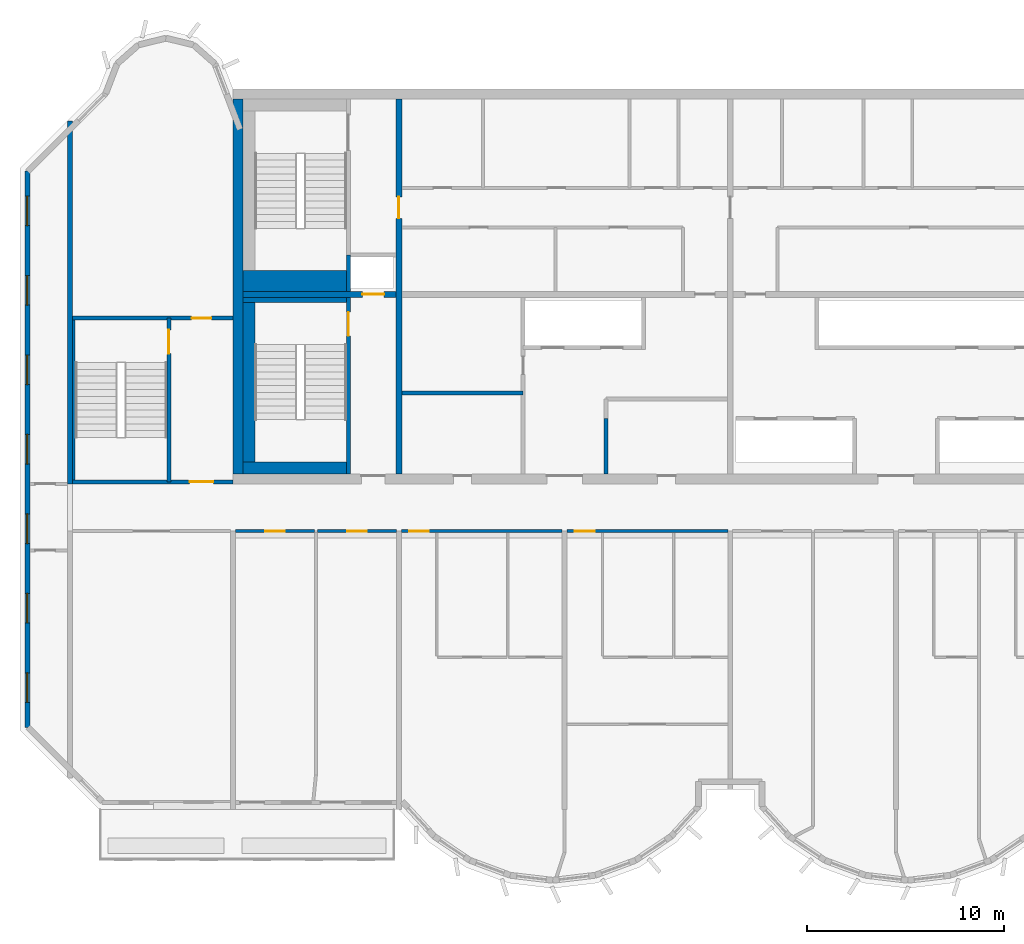
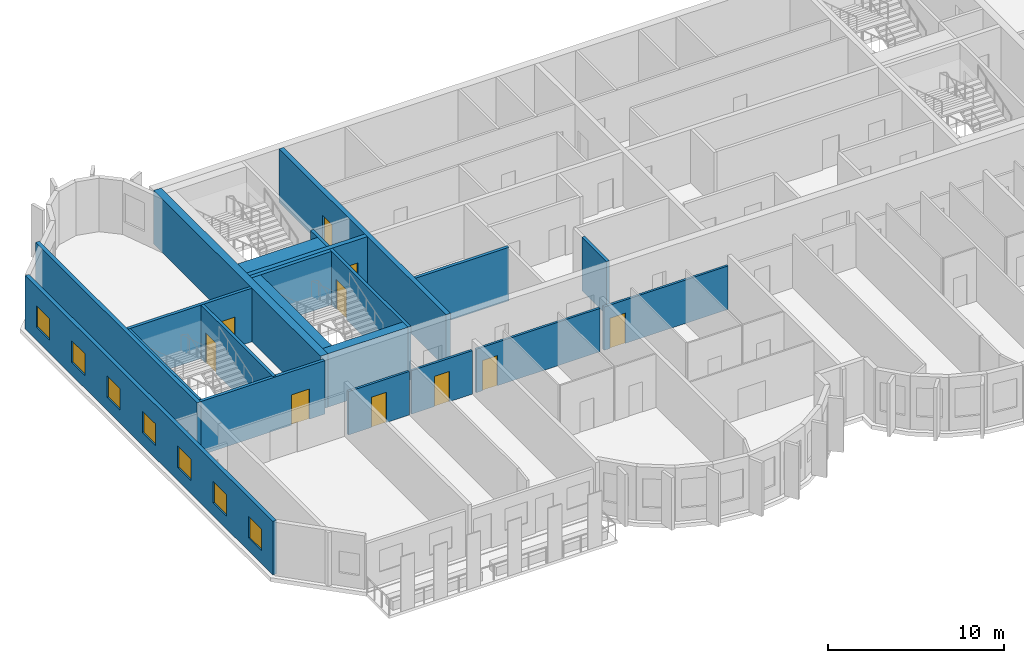
# One storey, part 3 of 12: 21 walls, 10 doors, 7 windows, 17 openings.
"""IFC4 building model written with IfcOpenShell, lengths in metres."""

import ifcopenshell
import ifcopenshell.guid

model = None  # the IFC model being written
_history = None  # IfcOwnerHistory: only IFC2X3 demands one
_inside = {}  # id of a spatial element -> (the spatial element, [elements in it])
_under = {}  # id of a project, library or spatial element -> (it, [spatial elements below it])
_declared = {}  # id of a project -> (the project, [libraries it declares])
_typed = {}  # id of a type object -> (the type object, [elements of that type])
_made_of = {}  # id of a material, layer set ... -> (it, [elements and type objects made of it])


def new_model(schema):
    """Start an empty IFC model of exactly this schema.

    Asked for "IFC4X3", IfcOpenShell would pick the latest addendum, in which some entities
    have other attributes; the version numbers below select the first issue.
    IFC2X3 requires an IfcOwnerHistory on every rooted entity: one is made here for all.
    """
    global model, _history
    if schema == "IFC4X3":
        model = ifcopenshell.file(schema_version=(4, 3, 0, 0))
    else:
        model = ifcopenshell.file(schema=schema)
    _inside.clear()
    _under.clear()
    _declared.clear()
    _typed.clear()
    _made_of.clear()
    _history = None
    if model.schema == "IFC2X3":
        org = make("IfcOrganization", Name="unknown")
        user = make(
            "IfcPersonAndOrganization",
            ThePerson=make("IfcPerson", FamilyName="unknown"),
            TheOrganization=org,
        )
        app = make(
            "IfcApplication",
            ApplicationDeveloper=org,
            Version="unknown",
            ApplicationFullName="unknown",
            ApplicationIdentifier="unknown",
        )
        _history = make(
            "IfcOwnerHistory",
            OwningUser=user,
            OwningApplication=app,
            ChangeAction="ADDED",
            CreationDate=0,
        )
    return model


def make(cls, **values):
    """One entity of the class cls with the attributes given. An attribute that is None is left unset."""
    return model.create_entity(
        cls, **{name: value for name, value in values.items() if value is not None}
    )


def rooted(cls, **values):
    """An entity with a GlobalId (a new one), such as an element, a storey or a relation."""
    return make(cls, GlobalId=ifcopenshell.guid.new(), OwnerHistory=_history, **values)


def si_unit(unit_type, name, prefix=None):
    """IfcSIUnit, for example si_unit("LENGTHUNIT", "METRE", prefix="MILLI")."""
    return make("IfcSIUnit", UnitType=unit_type, Prefix=prefix, Name=name)


def assignment(units):
    """IfcUnitAssignment: the units of a project."""
    return None if units is None else make("IfcUnitAssignment", Units=units)


def point(xyz):
    """IfcCartesianPoint."""
    return None if xyz is None else make("IfcCartesianPoint", Coordinates=xyz)


def direction(xyz):
    """IfcDirection."""
    return None if xyz is None else make("IfcDirection", DirectionRatios=xyz)


def frame(location, z_axis=None, x_axis=None):
    """IfcAxis2Placement3D, a coordinate frame: its origin and axes. An axis left out is left unset."""
    return make(
        "IfcAxis2Placement3D",
        Location=point(location),
        Axis=direction(z_axis),
        RefDirection=direction(x_axis),
    )


def frame_2d(location, x_axis=None):
    """IfcAxis2Placement2D, a coordinate frame in the plane: its origin and x axis."""
    return make(
        "IfcAxis2Placement2D", Location=point(location), RefDirection=direction(x_axis)
    )


def origin():
    """The frame at (0, 0, 0) with its axes left unset."""
    return frame((0.0, 0.0, 0.0))


def place(relative_to, where):
    """IfcLocalPlacement: puts the frame where relative to a parent placement (None: the world)."""
    return make(
        "IfcLocalPlacement", PlacementRelTo=relative_to, RelativePlacement=where
    )


def context(
    kind, dimensions, precision=None, world=None, true_north=None, identifier=None
):
    """IfcGeometricRepresentationContext, for example the 3D "Model" context."""
    return make(
        "IfcGeometricRepresentationContext",
        ContextIdentifier=identifier,
        ContextType=kind,
        CoordinateSpaceDimension=dimensions,
        Precision=precision,
        WorldCoordinateSystem=world,
        TrueNorth=true_north,
    )


def subcontext(parent, identifier, kind, view, scale=None):
    """IfcGeometricRepresentationSubContext, for example "Body" below "Model"."""
    return make(
        "IfcGeometricRepresentationSubContext",
        ContextIdentifier=identifier,
        ContextType=kind,
        ParentContext=parent,
        TargetScale=scale,
        TargetView=view,
    )


def project(units=None, contexts=None):
    """IfcProject with its units and contexts."""
    return rooted(
        "IfcProject",
        Name="project",
        RepresentationContexts=contexts,
        UnitsInContext=assignment(units),
    )


def spatial(cls, under=None, at=None, **own):
    """A site, building, storey or space (cls), placed at a placement, below another one or the project."""
    s = rooted(cls, ObjectPlacement=at, **own)
    if under is not None:
        _under.setdefault(under.id(), (under, []))[1].append(s)
    return s


def profile(cls, at=None, kind="AREA", **sizes):
    """A parametric profile (cls). Its sizes go by their IFC names, for example OverallWidth=200.0."""
    return make(cls, ProfileType=kind, Position=at, **sizes)


def rectangle(**sizes):
    """IfcRectangleProfileDef."""
    return profile("IfcRectangleProfileDef", **sizes)


def extrude(swept, where, along, depth):
    """IfcExtrudedAreaSolid: the profile swept, set in the frame where, extruded along a direction by depth."""
    return make(
        "IfcExtrudedAreaSolid",
        SweptArea=swept,
        Position=where,
        ExtrudedDirection=direction(along),
        Depth=depth,
    )


def shape(context_of_items, identifier, shape_type, items):
    """IfcShapeRepresentation: the items that make up one representation, for example the "Body"."""
    return make(
        "IfcShapeRepresentation",
        ContextOfItems=context_of_items,
        RepresentationIdentifier=identifier,
        RepresentationType=shape_type,
        Items=items,
    )


def source(mapping_origin, context_of_items, identifier, shape_type, items):
    """IfcRepresentationMap: a shape defined once, which mapped items show again and again."""
    return make(
        "IfcRepresentationMap",
        MappingOrigin=mapping_origin,
        MappedRepresentation=shape(context_of_items, identifier, shape_type, items),
    )


def transform(
    local_origin,
    x_axis=None,
    y_axis=None,
    z_axis=None,
    scale=None,
    scale2=None,
    scale3=None,
    uniform=True,
):
    """IfcCartesianTransformationOperator3D, or its non-uniform kind. x_axis, y_axis, z_axis: its Axis1, 2, 3."""
    if uniform:
        return make(
            "IfcCartesianTransformationOperator3D",
            Axis1=direction(x_axis),
            Axis2=direction(y_axis),
            LocalOrigin=point(local_origin),
            Scale=scale,
            Axis3=direction(z_axis),
        )
    return make(
        "IfcCartesianTransformationOperator3DnonUniform",
        Axis1=direction(x_axis),
        Axis2=direction(y_axis),
        LocalOrigin=point(local_origin),
        Scale=scale,
        Axis3=direction(z_axis),
        Scale2=scale2,
        Scale3=scale3,
    )


def mapped(mapping_source, mapping_target):
    """IfcMappedItem: shows the shape of a source again, moved by a transform."""
    return make(
        "IfcMappedItem", MappingSource=mapping_source, MappingTarget=mapping_target
    )


def material(Name=None, Category=None):
    """IfcMaterial."""
    return make("IfcMaterial", Name=Name, Category=Category)


def layer(
    of_material, thickness, ventilated=None, Name=None, Category=None, Priority=None
):
    """IfcMaterialLayer: one layer of a wall or slab, of a material (None: an air gap)."""
    return make(
        "IfcMaterialLayer",
        Material=of_material,
        LayerThickness=thickness,
        IsVentilated=ventilated,
        Name=Name,
        Category=Category,
        Priority=Priority,
    )


def layer_set(layers, Name=None):
    """IfcMaterialLayerSet."""
    return make("IfcMaterialLayerSet", MaterialLayers=layers, LayerSetName=Name)


def made_of(thing, what):
    """Note that an element or type object is made of a material, layer set ...; save() writes the relation."""
    if what is not None:
        _made_of.setdefault(what.id(), (what, []))[1].append(thing)
    return thing


def type_object(cls, material=None, **own):
    """A type object (cls), such as IfcWallType, which elements share."""
    return made_of(rooted(cls, **own), material)


def element(
    cls,
    number,
    at=None,
    inside=None,
    cuts=None,
    type_object=None,
    material=None,
    context=None,
    identifier="Body",
    shape_type=None,
    held_by="IfcProductDefinitionShape",
    body=None,
    shapes=None,
    **own,
):
    """One element of the class cls, such as IfcWall. Its Tag is "e" and its number.

    at: its placement. inside: the storey or other place that contains it. cuts: it is an
    opening in that element (IfcRelVoidsElement). A single representation is given by context,
    identifier, shape_type and body (its items); several are given by shapes. held_by: the class
    of the entity that holds the representations. save() writes the other relations.
    """
    e = rooted(cls, Tag="e%d" % number, ObjectPlacement=at, **own)
    if body is not None:
        shapes = [shape(context, identifier, shape_type, body)]
    if shapes is not None:
        e.Representation = make(held_by, Representations=shapes)
    if inside is not None:
        _inside.setdefault(inside.id(), (inside, []))[1].append(e)
    if cuts is not None:
        rooted(
            "IfcRelVoidsElement", RelatingBuildingElement=cuts, RelatedOpeningElement=e
        )
    if type_object is not None:
        _typed.setdefault(type_object.id(), (type_object, []))[1].append(e)
    return made_of(e, material)


def fill(opening, filler):
    """IfcRelFillsElement: the door or window that sits in an opening."""
    return rooted(
        "IfcRelFillsElement",
        RelatingOpeningElement=opening,
        RelatedBuildingElement=filler,
    )


def aggregate(whole, parts):
    """IfcRelAggregates: a whole, such as a stair, and the parts it consists of."""
    return rooted("IfcRelAggregates", RelatingObject=whole, RelatedObjects=parts)


def save(model, path):
    """Write the relations noted so far, then the file.

    IfcRelAggregates (storeys below a building ...), IfcRelContainedInSpatialStructure (elements
    in a storey), IfcRelDefinesByType, IfcRelAssociatesMaterial and IfcRelDeclares: one each for
    every whole, place, type object, material and project.
    """
    for whole, parts in _under.values():
        aggregate(whole, parts)
    for where, things in _inside.values():
        rooted(
            "IfcRelContainedInSpatialStructure",
            RelatedElements=things,
            RelatingStructure=where,
        )
    for kind, things in _typed.values():
        rooted("IfcRelDefinesByType", RelatedObjects=things, RelatingType=kind)
    for what, things in _made_of.values():
        rooted("IfcRelAssociatesMaterial", RelatedObjects=things, RelatingMaterial=what)
    for by, libraries in _declared.values():
        rooted("IfcRelDeclares", RelatingContext=by, RelatedDefinitions=libraries)
    model.write(path)


model = new_model("IFC4")

# Units and contexts
model_context = context("Model", 3, precision=1e-05, world=origin(), true_north=direction((0.0, 1.0)))
body_context = subcontext(model_context, "Body", "Model", "MODEL_VIEW")
ifc_project = project(units=[si_unit("LENGTHUNIT", "METRE"), si_unit("AREAUNIT", "SQUARE_METRE"), si_unit("VOLUMEUNIT", "CUBIC_METRE"), si_unit("PLANEANGLEUNIT", "RADIAN"), si_unit("MASSUNIT", "GRAM", prefix="KILO")], contexts=[model_context])

# Site, building, storey
site_placement = place(None, origin())
site = spatial("IfcSite", under=ifc_project, at=site_placement, CompositionType="ELEMENT")
building_placement = place(site_placement, origin())
building = spatial("IfcBuilding", under=site, at=building_placement, Name="Vanashikhar Sky Hotel", CompositionType="ELEMENT")
storey_placement = place(building_placement, frame((0.0, 0.0, 309.699951171875)))
storey = spatial("IfcBuildingStorey", under=building, at=storey_placement, Name="L74", CompositionType="ELEMENT", Elevation=309.699951171875)

# Wall
ifc_material_1 = material(Name="Concrete M50", Category="concrete")
ifc_layer_1 = layer(ifc_material_1, 0.5)
ifc_layer_set_1 = layer_set([ifc_layer_1], Name="RC core shell wall 500 Concrete M50")
wall_type_1 = type_object("IfcWallType", Name="RC core shell wall 500 Concrete M50", PredefinedType="SHEAR", material=ifc_layer_set_1)
shared_shape_1 = source(origin(), body_context, "Body", "SweptSolid", [
    extrude(rectangle(XDim=19.0, YDim=0.5, at=frame_2d((9.5, 0.0))), origin(), (0.0, 0.0, 1.0), 3.719970703125),
])
wall_1_placement = place(storey_placement, frame((25.449951171875, 22.5, 0.0), z_axis=(0.0, 0.0, 1.0), x_axis=(0.0, 1.0, 0.0)))
element("IfcWall", 1, at=wall_1_placement, inside=storey, type_object=wall_type_1, Name="KW-L74-KW", PredefinedType="SHEAR", context=body_context, shape_type="MappedRepresentation", body=[
    mapped(shared_shape_1, transform((0.0, 0.0, 0.0), scale=1.0)),
])

# Wall, opening, door
ifc_layer_2 = layer(ifc_material_1, 0.300048828125)
ifc_layer_set_2 = layer_set([ifc_layer_2], Name="RC core inner wall 300 Concrete M50")
wall_type_2 = type_object("IfcWallType", Name="RC core inner wall 300 Concrete M50", PredefinedType="SHEAR", material=ifc_layer_set_2)
shared_shape_2 = source(origin(), body_context, "Body", "SweptSolid", [
    extrude(rectangle(XDim=19.0, YDim=0.300048828125, at=frame_2d((9.5, 0.0))), origin(), (0.0, 0.0, 1.0), 3.719970703125),
])
wall_2_placement = place(storey_placement, frame((33.60009765625, 22.5, 0.0), z_axis=(0.0, 0.0, 1.0), x_axis=(0.0, 1.0, 0.0)))
wall_2 = element("IfcWall", 2, at=wall_2_placement, inside=storey, type_object=wall_type_2, Name="KW-L74-KX1", PredefinedType="SHEAR", context=body_context, shape_type="MappedRepresentation", body=[
    mapped(shared_shape_2, transform((0.0, 0.0, 0.0), scale=1.0)),
])
shared_shape_3 = source(origin(), body_context, "Body", "SweptSolid", [
    extrude(rectangle(XDim=1.10009765625, YDim=2.10009765625, at=frame_2d((0.550048828125, 1.050048828125))), frame((0.0, 0.16015625, 0.0), z_axis=(0.0, -1.0, 0.0), x_axis=(1.0, 0.0, 0.0)), (0.0, 0.0, 1.0), 0.320068359375),
])
opening_1_placement = place(wall_2_placement, frame((12.949951171875, 0.0, 0.0)))
opening_1 = element("IfcOpeningElement", 3, at=opening_1_placement, cuts=wall_2, Name="Opening DC-4-C", PredefinedType="OPENING", context=body_context, shape_type="MappedRepresentation", body=[
    mapped(shared_shape_3, transform((0.0, 0.0, 0.0), scale=1.0)),
])
ifc_material_2 = material(Name="Steel", Category="steel")
door_type_1 = type_object("IfcDoorType", Name="Service door 1100 FD60", OperationType="NOTDEFINED", PredefinedType="DOOR", material=ifc_material_2)
shared_shape_4 = source(origin(), body_context, "Body", "SweptSolid", [
    extrude(rectangle(XDim=1.10009765625, YDim=2.10009765625, at=frame_2d((0.550048828125, 1.050048828125))), frame((0.0, 0.02490234375, 0.0), z_axis=(0.0, -1.0, 0.0), x_axis=(1.0, 0.0, 0.0)), (0.0, 0.0, 1.0), 0.050048828125),
])
door_1_placement = place(opening_1_placement, origin())
door_1 = element("IfcDoor", 4, at=door_1_placement, inside=storey, type_object=door_type_1, Name="Service door 1100 FD60", OperationType="SINGLE_SWING_RIGHT", OverallHeight=2.10009765625, OverallWidth=1.10009765625, PredefinedType="DOOR", context=body_context, shape_type="MappedRepresentation", body=[
    mapped(shared_shape_4, transform((0.0, 0.0, 0.0), scale=1.0)),
])
fill(opening_1, door_1)

shared_shape_5 = source(origin(), body_context, "Body", "SweptSolid", [
    extrude(rectangle(XDim=7.75, YDim=0.300048828125, at=frame_2d((3.875, 0.0))), origin(), (0.0, 0.0, 1.0), 3.719970703125),
])
wall_3_placement = place(storey_placement, frame((25.699951171875, 31.60009765625, 0.0), z_axis=(0.0, 0.0, 1.0), x_axis=(1.0, 0.0, 0.0)))
wall_3 = element("IfcWall", 5, at=wall_3_placement, inside=storey, type_object=wall_type_2, Name="KW-L74-KY1", PredefinedType="SHEAR", context=body_context, shape_type="MappedRepresentation", body=[
    mapped(shared_shape_5, transform((0.0, 0.0, 0.0), scale=1.0)),
])
opening_2_placement = place(wall_3_placement, frame((6.050048828125, 0.0, 0.0)))
opening_2 = element("IfcOpeningElement", 6, at=opening_2_placement, cuts=wall_3, Name="Opening LD", PredefinedType="OPENING", context=body_context, shape_type="MappedRepresentation", body=[
    mapped(shared_shape_3, transform((0.0, 0.0, 0.0), scale=1.0)),
])
ifc_material_3 = material(Name="Stainless steel", Category="steel")
door_type_2 = type_object("IfcDoorType", Name="Lift landing door 1100", OperationType="NOTDEFINED", PredefinedType="DOOR", material=ifc_material_3)
door_2_placement = place(opening_2_placement, origin())
door_2 = element("IfcDoor", 7, at=door_2_placement, inside=storey, type_object=door_type_2, Name="Lift landing door 1100", OperationType="SLIDING_TO_LEFT", OverallHeight=2.10009765625, OverallWidth=1.10009765625, PredefinedType="DOOR", context=body_context, shape_type="MappedRepresentation", body=[
    mapped(shared_shape_4, transform((0.0, 0.0, 0.0), scale=1.0)),
])
fill(opening_2, door_2)

# Wall
ifc_layer_3 = layer(ifc_material_1, 0.25)
ifc_layer_set_3 = layer_set([ifc_layer_3], Name="RC shear wall 250 Concrete M50")
wall_type_3 = type_object("IfcWallType", Name="RC shear wall 250 Concrete M50", PredefinedType="SHEAR", material=ifc_layer_set_3)
shared_shape_6 = source(origin(), body_context, "Body", "SweptSolid", [
    extrude(rectangle(XDim=18.39990234375, YDim=0.25, at=frame_2d((9.199951171875, 0.0))), origin(), (0.0, 0.0, 1.0), 3.719970703125),
])
wall_4_placement = place(storey_placement, frame((16.925048828125, 22.0, 0.0), z_axis=(0.0, 0.0, 1.0), x_axis=(0.0, 1.0, 0.0)))
element("IfcWall", 8, at=wall_4_placement, inside=storey, type_object=wall_type_3, Name="CW-L74-XW03-2", PredefinedType="SHEAR", context=body_context, shape_type="MappedRepresentation", body=[
    mapped(shared_shape_6, transform((0.0, 0.0, 0.0), scale=1.0)),
])

# Wall, openings, windows
ifc_layer_4 = layer(ifc_material_1, 0.25)
ifc_layer_set_4 = layer_set([ifc_layer_4], Name="Rear and end board-marked wall 250")
wall_type_4 = type_object("IfcWallType", Name="Rear and end board-marked wall 250", PredefinedType="SOLIDWALL", material=ifc_layer_set_4)
shared_shape_7 = source(origin(), body_context, "Body", "SweptSolid", [
    extrude(rectangle(XDim=28.189453125, YDim=0.25, at=frame_2d((14.0947265625, 0.0))), origin(), (0.0, 0.0, 1.0), 3.719970703125),
])
wall_5_placement = place(storey_placement, frame((14.77490234375, 37.8447265625, 0.0), z_axis=(0.0, 0.0, 1.0), x_axis=(0.0, -1.0, 0.0)))
wall_5 = element("IfcWall", 9, at=wall_5_placement, inside=storey, type_object=wall_type_4, Name="End board-marked wall", PredefinedType="SOLIDWALL", context=body_context, shape_type="MappedRepresentation", body=[
    mapped(shared_shape_7, transform((0.0, 0.0, 0.0), scale=1.0)),
])
shared_shape_8 = source(origin(), body_context, "Body", "SweptSolid", [
    extrude(rectangle(XDim=1.5, YDim=1.5, at=frame_2d((0.75, 0.75))), frame((0.0, 0.135009765625, 0.0), z_axis=(0.0, -1.0, 0.0), x_axis=(1.0, 0.0, 0.0)), (0.0, 0.0, 1.0), 0.27001953125),
])
opening_3_placement = place(wall_5_placement, frame((1.263427734375, 0.0, 0.89990234375)))
opening_3 = element("IfcOpeningElement", 10, at=opening_3_placement, cuts=wall_5, Name="Opening WN-1", PredefinedType="OPENING", context=body_context, shape_type="MappedRepresentation", body=[
    mapped(shared_shape_8, transform((0.0, 0.0, 0.0), scale=1.0)),
])
opening_4_placement = place(wall_5_placement, frame((5.29052734375, 0.0, 0.89990234375)))
opening_4 = element("IfcOpeningElement", 11, at=opening_4_placement, cuts=wall_5, Name="Opening WN-1", PredefinedType="OPENING", context=body_context, shape_type="MappedRepresentation", body=[
    mapped(shared_shape_8, transform((0.0, 0.0, 0.0), scale=1.0)),
])
opening_5_placement = place(wall_5_placement, frame((9.317626953125, 0.0, 0.89990234375)))
opening_5 = element("IfcOpeningElement", 12, at=opening_5_placement, cuts=wall_5, Name="Opening WN-1", PredefinedType="OPENING", context=body_context, shape_type="MappedRepresentation", body=[
    mapped(shared_shape_8, transform((0.0, 0.0, 0.0), scale=1.0)),
])
opening_6_placement = place(wall_5_placement, frame((13.3447265625, 0.0, 0.89990234375)))
opening_6 = element("IfcOpeningElement", 13, at=opening_6_placement, cuts=wall_5, Name="Opening WN-1", PredefinedType="OPENING", context=body_context, shape_type="MappedRepresentation", body=[
    mapped(shared_shape_8, transform((0.0, 0.0, 0.0), scale=1.0)),
])
opening_7_placement = place(wall_5_placement, frame((17.371826171875, 0.0, 0.89990234375)))
opening_7 = element("IfcOpeningElement", 14, at=opening_7_placement, cuts=wall_5, Name="Opening WN-1", PredefinedType="OPENING", context=body_context, shape_type="MappedRepresentation", body=[
    mapped(shared_shape_8, transform((0.0, 0.0, 0.0), scale=1.0)),
])
opening_8_placement = place(wall_5_placement, frame((21.398681640625, 0.0, 0.89990234375)))
opening_8 = element("IfcOpeningElement", 15, at=opening_8_placement, cuts=wall_5, Name="Opening WN-1", PredefinedType="OPENING", context=body_context, shape_type="MappedRepresentation", body=[
    mapped(shared_shape_8, transform((0.0, 0.0, 0.0), scale=1.0)),
])
opening_9_placement = place(wall_5_placement, frame((25.42578125, 0.0, 0.89990234375)))
opening_9 = element("IfcOpeningElement", 16, at=opening_9_placement, cuts=wall_5, Name="Opening WN-1", PredefinedType="OPENING", context=body_context, shape_type="MappedRepresentation", body=[
    mapped(shared_shape_8, transform((0.0, 0.0, 0.0), scale=1.0)),
])
ifc_material_4 = material(Name="Glass", Category="glass")
window_type = type_object("IfcWindowType", Name="Window 1500 x 1500", PartitioningType="SINGLE_PANEL", PredefinedType="WINDOW", material=ifc_material_4)
shared_shape_9 = source(origin(), body_context, "Body", "SweptSolid", [
    extrude(rectangle(XDim=1.5, YDim=1.5, at=frame_2d((0.75, 0.75))), frame((0.0, 0.030029296875, 0.0), z_axis=(0.0, -1.0, 0.0), x_axis=(1.0, 0.0, 0.0)), (0.0, 0.0, 1.0), 0.06005859375),
])
window_1_placement = place(opening_3_placement, origin())
window_1 = element("IfcWindow", 17, at=window_1_placement, inside=storey, type_object=window_type, Name="Window WN-1", OverallHeight=1.5, OverallWidth=1.5, PartitioningType="SINGLE_PANEL", PredefinedType="WINDOW", context=body_context, shape_type="MappedRepresentation", body=[
    mapped(shared_shape_9, transform((0.0, 0.0, 0.0), scale=1.0)),
])
fill(opening_3, window_1)
window_2_placement = place(opening_4_placement, origin())
window_2 = element("IfcWindow", 18, at=window_2_placement, inside=storey, type_object=window_type, Name="Window WN-1", OverallHeight=1.5, OverallWidth=1.5, PartitioningType="SINGLE_PANEL", PredefinedType="WINDOW", context=body_context, shape_type="MappedRepresentation", body=[
    mapped(shared_shape_9, transform((0.0, 0.0, 0.0), scale=1.0)),
])
fill(opening_4, window_2)
window_3_placement = place(opening_5_placement, origin())
window_3 = element("IfcWindow", 19, at=window_3_placement, inside=storey, type_object=window_type, Name="Window WN-1", OverallHeight=1.5, OverallWidth=1.5, PartitioningType="SINGLE_PANEL", PredefinedType="WINDOW", context=body_context, shape_type="MappedRepresentation", body=[
    mapped(shared_shape_9, transform((0.0, 0.0, 0.0), scale=1.0)),
])
fill(opening_5, window_3)
window_4_placement = place(opening_6_placement, origin())
window_4 = element("IfcWindow", 20, at=window_4_placement, inside=storey, type_object=window_type, Name="Window WN-1", OverallHeight=1.5, OverallWidth=1.5, PartitioningType="SINGLE_PANEL", PredefinedType="WINDOW", context=body_context, shape_type="MappedRepresentation", body=[
    mapped(shared_shape_9, transform((0.0, 0.0, 0.0), scale=1.0)),
])
fill(opening_6, window_4)
window_5_placement = place(opening_7_placement, origin())
window_5 = element("IfcWindow", 21, at=window_5_placement, inside=storey, type_object=window_type, Name="Window WN-1", OverallHeight=1.5, OverallWidth=1.5, PartitioningType="SINGLE_PANEL", PredefinedType="WINDOW", context=body_context, shape_type="MappedRepresentation", body=[
    mapped(shared_shape_9, transform((0.0, 0.0, 0.0), scale=1.0)),
])
fill(opening_7, window_5)
window_6_placement = place(opening_8_placement, origin())
window_6 = element("IfcWindow", 22, at=window_6_placement, inside=storey, type_object=window_type, Name="Window WN-1", OverallHeight=1.5, OverallWidth=1.5, PartitioningType="SINGLE_PANEL", PredefinedType="WINDOW", context=body_context, shape_type="MappedRepresentation", body=[
    mapped(shared_shape_9, transform((0.0, 0.0, 0.0), scale=1.0)),
])
fill(opening_8, window_6)
window_7_placement = place(opening_9_placement, origin())
window_7 = element("IfcWindow", 23, at=window_7_placement, inside=storey, type_object=window_type, Name="Window WN-1", OverallHeight=1.5, OverallWidth=1.5, PartitioningType="SINGLE_PANEL", PredefinedType="WINDOW", context=body_context, shape_type="MappedRepresentation", body=[
    mapped(shared_shape_9, transform((0.0, 0.0, 0.0), scale=1.0)),
])
fill(opening_9, window_7)

# Walls
ifc_material_5 = material(Name="Gypsum board partition")
ifc_layer_5 = layer(ifc_material_5, 0.14990234375)
ifc_layer_set_5 = layer_set([ifc_layer_5], Name="Service partition 150")
wall_type_5 = type_object("IfcWallType", Name="Service partition 150", PredefinedType="PARTITIONING", material=ifc_layer_set_5)
shared_shape_10 = source(origin(), body_context, "Body", "SweptSolid", [
    extrude(rectangle(XDim=2.800048828125, YDim=0.199951171875, at=frame_2d((1.39990234375, 0.0))), origin(), (0.0, 0.0, 1.0), 3.719970703125),
])
wall_6_placement = place(storey_placement, frame((44.10009765625, 22.5, 0.0), z_axis=(0.0, 0.0, 1.0), x_axis=(0.0, 1.0, 0.0)))
element("IfcWall", 24, at=wall_6_placement, inside=storey, type_object=wall_type_5, Name="Service partition 150", PredefinedType="PARTITIONING", context=body_context, shape_type="MappedRepresentation", body=[
    mapped(shared_shape_10, transform((0.0, 0.0, 0.0), scale=1.0)),
])
shared_shape_11 = source(origin(), body_context, "Body", "SweptSolid", [
    extrude(rectangle(XDim=6.14990234375, YDim=0.199951171875, at=frame_2d((3.074951171875, 0.0))), origin(), (0.0, 0.0, 1.0), 3.719970703125),
])
wall_7_placement = place(storey_placement, frame((33.75, 26.60009765625, 0.0), z_axis=(0.0, 0.0, 1.0), x_axis=(1.0, 0.0, 0.0)))
element("IfcWall", 25, at=wall_7_placement, inside=storey, type_object=wall_type_5, Name="Service partition 150", PredefinedType="PARTITIONING", context=body_context, shape_type="MappedRepresentation", body=[
    mapped(shared_shape_11, transform((0.0, 0.0, 0.0), scale=1.0)),
])

# Wall, opening, door
ifc_layer_6 = layer(ifc_material_1, 0.199951171875)
ifc_layer_set_6 = layer_set([ifc_layer_6], Name="Stair wall 200")
wall_type_6 = type_object("IfcWallType", Name="Stair wall 200", PredefinedType="SOLIDWALL", material=ifc_layer_set_6)
shared_shape_12 = source(origin(), body_context, "Body", "SweptSolid", [
    extrude(rectangle(XDim=8.949951171875, YDim=0.199951171875, at=frame_2d((4.47509765625, 0.0))), origin(), (0.0, 0.0, 1.0), 3.719970703125),
])
wall_8_placement = place(storey_placement, frame((31.050048828125, 22.5, 0.0), z_axis=(0.0, 0.0, 1.0), x_axis=(0.0, 1.0, 0.0)))
wall_8 = element("IfcWall", 26, at=wall_8_placement, inside=storey, type_object=wall_type_6, Name="Stair wall 200", PredefinedType="SOLIDWALL", context=body_context, shape_type="MappedRepresentation", body=[
    mapped(shared_shape_12, transform((0.0, 0.0, 0.0), scale=1.0)),
])
shared_shape_13 = source(origin(), body_context, "Body", "SweptSolid", [
    extrude(rectangle(XDim=1.199951171875, YDim=2.10009765625, at=frame_2d((0.60009765625, 1.050048828125))), frame((0.0, 0.10986328125, 0.0), z_axis=(0.0, -1.0, 0.0), x_axis=(1.0, 0.0, 0.0)), (0.0, 0.0, 1.0), 0.219970703125),
])
opening_10_placement = place(wall_8_placement, frame((7.0, 0.0, 0.0)))
opening_10 = element("IfcOpeningElement", 27, at=opening_10_placement, cuts=wall_8, Name="Opening DC-1", PredefinedType="OPENING", context=body_context, shape_type="MappedRepresentation", body=[
    mapped(shared_shape_13, transform((0.0, 0.0, 0.0), scale=1.0)),
])
door_type_3 = type_object("IfcDoorType", Name="Stair door 1200 FD120", OperationType="NOTDEFINED", PredefinedType="DOOR", material=ifc_material_2)
shared_shape_14 = source(origin(), body_context, "Body", "SweptSolid", [
    extrude(rectangle(XDim=1.199951171875, YDim=2.10009765625, at=frame_2d((0.60009765625, 1.050048828125))), frame((0.0, 0.02490234375, 0.0), z_axis=(0.0, -1.0, 0.0), x_axis=(1.0, 0.0, 0.0)), (0.0, 0.0, 1.0), 0.050048828125),
])
door_3_placement = place(opening_10_placement, origin())
door_3 = element("IfcDoor", 28, at=door_3_placement, inside=storey, type_object=door_type_3, Name="Stair door 1200 FD120", OperationType="SINGLE_SWING_RIGHT", OverallHeight=2.10009765625, OverallWidth=1.199951171875, PredefinedType="DOOR", context=body_context, shape_type="MappedRepresentation", body=[
    mapped(shared_shape_14, transform((0.0, 0.0, 0.0), scale=1.0)),
])
fill(opening_10, door_3)

# Wall
ifc_material_6 = material(Name="Concrete M40", Category="concrete")
ifc_layer_7 = layer(ifc_material_6, 0.199951171875)
ifc_layer_set_7 = layer_set([ifc_layer_7], Name="Shaft wall 200")
wall_type_7 = type_object("IfcWallType", Name="Shaft wall 200", PredefinedType="SOLIDWALL", material=ifc_layer_set_7)
shared_shape_15 = source(origin(), body_context, "Body", "SweptSolid", [
    extrude(rectangle(XDim=1.85009765625, YDim=0.199951171875, at=frame_2d((0.925048828125, 0.0))), origin(), (0.0, 0.0, 1.0), 3.719970703125),
])
wall_9_placement = place(storey_placement, frame((31.050048828125, 31.75, 0.0), z_axis=(0.0, 0.0, 1.0), x_axis=(0.0, 1.0, 0.0)))
element("IfcWall", 29, at=wall_9_placement, inside=storey, type_object=wall_type_7, Name="Shaft wall 200", PredefinedType="SOLIDWALL", context=body_context, shape_type="MappedRepresentation", body=[
    mapped(shared_shape_15, transform((0.0, 0.0, 0.0), scale=1.0)),
])

# Wall, opening, door
shared_shape_16 = source(origin(), body_context, "Body", "SweptSolid", [
    extrude(rectangle(XDim=8.2998046875, YDim=0.199951171875, at=frame_2d((4.14990234375, 0.0))), origin(), (0.0, 0.0, 1.0), 3.719970703125),
])
wall_10_placement = place(storey_placement, frame((21.949951171875, 22.10009765625, 0.0), z_axis=(0.0, 0.0, 1.0), x_axis=(0.0, 1.0, 0.0)))
wall_10 = element("IfcWall", 30, at=wall_10_placement, inside=storey, type_object=wall_type_6, Name="Stair wall 200", PredefinedType="SOLIDWALL", context=body_context, shape_type="MappedRepresentation", body=[
    mapped(shared_shape_16, transform((0.0, 0.0, 0.0), scale=1.0)),
])
opening_11_placement = place(wall_10_placement, frame((6.5, 0.0, 0.0)))
opening_11 = element("IfcOpeningElement", 31, at=opening_11_placement, cuts=wall_10, Name="Opening DC-1", PredefinedType="OPENING", context=body_context, shape_type="MappedRepresentation", body=[
    mapped(shared_shape_13, transform((0.0, 0.0, 0.0), scale=1.0)),
])
door_4_placement = place(opening_11_placement, origin())
door_4 = element("IfcDoor", 32, at=door_4_placement, inside=storey, type_object=door_type_3, Name="Stair door 1200 FD120", OperationType="SINGLE_SWING_RIGHT", OverallHeight=2.10009765625, OverallWidth=1.199951171875, PredefinedType="DOOR", context=body_context, shape_type="MappedRepresentation", body=[
    mapped(shared_shape_14, transform((0.0, 0.0, 0.0), scale=1.0)),
])
fill(opening_11, door_4)

shared_shape_17 = source(origin(), body_context, "Body", "SweptSolid", [
    extrude(rectangle(XDim=8.14990234375, YDim=0.199951171875, at=frame_2d((4.074951171875, 0.0))), origin(), (0.0, 0.0, 1.0), 3.719970703125),
])
wall_11_placement = place(storey_placement, frame((17.050048828125, 22.10009765625, 0.0), z_axis=(0.0, 0.0, 1.0), x_axis=(1.0, 0.0, 0.0)))
wall_11 = element("IfcWall", 33, at=wall_11_placement, inside=storey, type_object=wall_type_6, Name="Stair wall 200", PredefinedType="SOLIDWALL", context=body_context, shape_type="MappedRepresentation", body=[
    mapped(shared_shape_17, transform((0.0, 0.0, 0.0), scale=1.0)),
])
opening_12_placement = place(wall_11_placement, frame((5.949951171875, 0.0, 0.0)))
opening_12 = element("IfcOpeningElement", 34, at=opening_12_placement, cuts=wall_11, Name="Opening DC-2", PredefinedType="OPENING", context=body_context, shape_type="MappedRepresentation", body=[
    mapped(shared_shape_13, transform((0.0, 0.0, 0.0), scale=1.0)),
])
door_type_4 = type_object("IfcDoorType", Name="Firefighting lobby door 1200 FD120", OperationType="NOTDEFINED", PredefinedType="DOOR", material=ifc_material_2)
door_5_placement = place(opening_12_placement, origin())
door_5 = element("IfcDoor", 35, at=door_5_placement, inside=storey, type_object=door_type_4, Name="Firefighting lobby door 1200 FD120", OperationType="SINGLE_SWING_RIGHT", OverallHeight=2.10009765625, OverallWidth=1.199951171875, PredefinedType="DOOR", context=body_context, shape_type="MappedRepresentation", body=[
    mapped(shared_shape_14, transform((0.0, 0.0, 0.0), scale=1.0)),
])
fill(opening_12, door_5)

wall_12_placement = place(storey_placement, frame((17.050048828125, 30.39990234375, 0.0), z_axis=(0.0, 0.0, 1.0), x_axis=(1.0, 0.0, 0.0)))
wall_12 = element("IfcWall", 36, at=wall_12_placement, inside=storey, type_object=wall_type_6, Name="Stair wall 200", PredefinedType="SOLIDWALL", context=body_context, shape_type="MappedRepresentation", body=[
    mapped(shared_shape_17, transform((0.0, 0.0, 0.0), scale=1.0)),
])
shared_shape_18 = source(origin(), body_context, "Body", "SweptSolid", [
    extrude(rectangle(XDim=1.0, YDim=2.10009765625, at=frame_2d((0.5, 1.050048828125))), frame((0.0, 0.10986328125, 0.0), z_axis=(0.0, -1.0, 0.0), x_axis=(1.0, 0.0, 0.0)), (0.0, 0.0, 1.0), 0.219970703125),
])
opening_13_placement = place(wall_12_placement, frame((6.050048828125, 0.0, 0.0)))
opening_13 = element("IfcOpeningElement", 37, at=opening_13_placement, cuts=wall_12, Name="Opening DC-6", PredefinedType="OPENING", context=body_context, shape_type="MappedRepresentation", body=[
    mapped(shared_shape_18, transform((0.0, 0.0, 0.0), scale=1.0)),
])
door_type_5 = type_object("IfcDoorType", Name="Pocket door 1000 FD60", OperationType="NOTDEFINED", PredefinedType="DOOR", material=ifc_material_2)
shared_shape_19 = source(origin(), body_context, "Body", "SweptSolid", [
    extrude(rectangle(XDim=1.0, YDim=2.10009765625, at=frame_2d((0.5, 1.050048828125))), frame((0.0, 0.02490234375, 0.0), z_axis=(0.0, -1.0, 0.0), x_axis=(1.0, 0.0, 0.0)), (0.0, 0.0, 1.0), 0.050048828125),
])
door_6_placement = place(opening_13_placement, origin())
door_6 = element("IfcDoor", 38, at=door_6_placement, inside=storey, type_object=door_type_5, Name="Pocket door 1000 FD60", OperationType="SINGLE_SWING_RIGHT", OverallHeight=2.10009765625, OverallWidth=1.0, PredefinedType="DOOR", context=body_context, shape_type="MappedRepresentation", body=[
    mapped(shared_shape_19, transform((0.0, 0.0, 0.0), scale=1.0)),
])
fill(opening_13, door_6)

# Walls
ifc_layer_8 = layer(ifc_material_1, 0.60009765625)
ifc_layer_set_8 = layer_set([ifc_layer_8], Name="Stair infill wall 600")
wall_type_8 = type_object("IfcWallType", Name="Stair infill wall 600", PredefinedType="SOLIDWALL", material=ifc_layer_set_8)
shared_shape_20 = source(origin(), body_context, "Body", "SweptSolid", [
    extrude(rectangle(XDim=5.25, YDim=0.60009765625, at=frame_2d((2.625, 0.0))), origin(), (0.0, 0.0, 1.0), 3.719970703125),
])
wall_13_placement = place(storey_placement, frame((25.699951171875, 22.800048828125, 0.0), z_axis=(0.0, 0.0, 1.0), x_axis=(1.0, 0.0, 0.0)))
element("IfcWall", 39, at=wall_13_placement, inside=storey, type_object=wall_type_8, Name="Stair infill wall 600", PredefinedType="SOLIDWALL", context=body_context, shape_type="MappedRepresentation", body=[
    mapped(shared_shape_20, transform((0.0, 0.0, 0.0), scale=1.0)),
])
ifc_layer_9 = layer(ifc_material_1, 0.25)
ifc_layer_set_9 = layer_set([ifc_layer_9], Name="Stair infill wall 250")
wall_type_9 = type_object("IfcWallType", Name="Stair infill wall 250", PredefinedType="SOLIDWALL", material=ifc_layer_set_9)
shared_shape_21 = source(origin(), body_context, "Body", "SweptSolid", [
    extrude(rectangle(XDim=5.25, YDim=0.25, at=frame_2d((2.625, 0.0))), origin(), (0.0, 0.0, 1.0), 3.719970703125),
])
wall_14_placement = place(storey_placement, frame((25.699951171875, 31.324951171875, 0.0), z_axis=(0.0, 0.0, 1.0), x_axis=(1.0, 0.0, 0.0)))
element("IfcWall", 40, at=wall_14_placement, inside=storey, type_object=wall_type_9, Name="Stair infill wall 250", PredefinedType="SOLIDWALL", context=body_context, shape_type="MappedRepresentation", body=[
    mapped(shared_shape_21, transform((0.0, 0.0, 0.0), scale=1.0)),
])
shared_shape_22 = source(origin(), body_context, "Body", "SweptSolid", [
    extrude(rectangle(XDim=8.099853515625, YDim=0.60009765625, at=frame_2d((4.0498046875, 0.0))), origin(), (0.0, 0.0, 1.0), 3.719970703125),
])
wall_15_placement = place(storey_placement, frame((26.0, 23.10009765625, 0.0), z_axis=(0.0, 0.0, 1.0), x_axis=(0.0, 1.0, 0.0)))
element("IfcWall", 41, at=wall_15_placement, inside=storey, type_object=wall_type_8, Name="Stair infill wall 600", PredefinedType="SOLIDWALL", context=body_context, shape_type="MappedRepresentation", body=[
    mapped(shared_shape_22, transform((0.0, 0.0, 0.0), scale=1.0)),
])
ifc_layer_10 = layer(ifc_material_1, 0.14990234375)
ifc_layer_set_10 = layer_set([ifc_layer_10], Name="Stair infill wall 150")
wall_type_10 = type_object("IfcWallType", Name="Stair infill wall 150", PredefinedType="SOLIDWALL", material=ifc_layer_set_10)
shared_shape_23 = source(origin(), body_context, "Body", "SweptSolid", [
    extrude(rectangle(XDim=8.10009765625, YDim=0.14990234375, at=frame_2d((4.050048828125, 0.0))), origin(), (0.0, 0.0, 1.0), 3.719970703125),
])
wall_16_placement = place(storey_placement, frame((17.125, 22.199951171875, 0.0), z_axis=(0.0, 0.0, 1.0), x_axis=(0.0, 1.0, 0.0)))
element("IfcWall", 42, at=wall_16_placement, inside=storey, type_object=wall_type_10, Name="Stair infill wall 150", PredefinedType="SOLIDWALL", context=body_context, shape_type="MappedRepresentation", body=[
    mapped(shared_shape_23, transform((0.0, 0.0, 0.0), scale=1.0)),
])
ifc_layer_11 = layer(ifc_material_1, 1.050048828125)
ifc_layer_set_11 = layer_set([ifc_layer_11], Name="Stair infill wall 1050")
wall_type_11 = type_object("IfcWallType", Name="Stair infill wall 1050", PredefinedType="SOLIDWALL", material=ifc_layer_set_11)
shared_shape_24 = source(origin(), body_context, "Body", "SweptSolid", [
    extrude(rectangle(XDim=5.25, YDim=1.050048828125, at=frame_2d((2.625, 0.0))), origin(), (0.0, 0.0, 1.0), 3.719970703125),
])
wall_17_placement = place(storey_placement, frame((25.699951171875, 32.27490234375, 0.0), z_axis=(0.0, 0.0, 1.0), x_axis=(1.0, 0.0, 0.0)))
element("IfcWall", 43, at=wall_17_placement, inside=storey, type_object=wall_type_11, Name="Stair infill wall 1050", PredefinedType="SOLIDWALL", context=body_context, shape_type="MappedRepresentation", body=[
    mapped(shared_shape_24, transform((0.0, 0.0, 0.0), scale=1.0)),
])

# Wall, opening, door
ifc_material_7 = material(Name="Gypsum plasterboard partition")
ifc_layer_12 = layer(ifc_material_7, 0.14990234375)
ifc_layer_set_12 = layer_set([ifc_layer_12], Name="Corridor and demising partition 150")
wall_type_12 = type_object("IfcWallType", Name="Corridor and demising partition 150", PredefinedType="PARTITIONING", material=ifc_layer_set_12)
shared_shape_25 = source(origin(), body_context, "Body", "SweptSolid", [
    extrude(rectangle(XDim=8.14990234375, YDim=0.14990234375, at=frame_2d((4.074951171875, 0.0))), origin(), (0.0, 0.0, 1.0), 3.02001953125),
])
wall_18_placement = place(storey_placement, frame((33.72509765625, 19.60009765625, 0.0), z_axis=(0.0, 0.0, 1.0), x_axis=(1.0, 0.0, 0.0)))
wall_18 = element("IfcWall", 44, at=wall_18_placement, inside=storey, type_object=wall_type_12, Name="W-L74-PW009", PredefinedType="PARTITIONING", context=body_context, shape_type="MappedRepresentation", body=[
    mapped(shared_shape_25, transform((0.0, 0.0, 0.0), scale=1.0)),
])
shared_shape_26 = source(origin(), body_context, "Body", "SweptSolid", [
    extrude(rectangle(XDim=1.0, YDim=2.10009765625, at=frame_2d((0.5, 1.050048828125))), frame((0.0, 0.0849609375, 0.0), z_axis=(0.0, -1.0, 0.0), x_axis=(1.0, 0.0, 0.0)), (0.0, 0.0, 1.0), 0.169921875),
])
opening_14_placement = place(wall_18_placement, frame((0.39990234375, 0.0, 0.0)))
opening_14 = element("IfcOpeningElement", 45, at=opening_14_placement, cuts=wall_18, Name="Opening D-01", PredefinedType="OPENING", context=body_context, shape_type="MappedRepresentation", body=[
    mapped(shared_shape_26, transform((0.0, 0.0, 0.0), scale=1.0)),
])
ifc_material_8 = material(Name="Timber fire door", Category="wood")
door_type_6 = type_object("IfcDoorType", Name="Guest entry door 1000 FD30S", OperationType="NOTDEFINED", PredefinedType="DOOR", material=ifc_material_8)
door_7_placement = place(opening_14_placement, origin())
door_7 = element("IfcDoor", 46, at=door_7_placement, inside=storey, type_object=door_type_6, Name="D-L74-006", OperationType="SINGLE_SWING_LEFT", OverallHeight=2.10009765625, OverallWidth=1.0, PredefinedType="DOOR", context=body_context, shape_type="MappedRepresentation", body=[
    mapped(shared_shape_19, transform((0.0, 0.0, 0.0), scale=1.0)),
])
fill(opening_14, door_7)

wall_19_placement = place(storey_placement, frame((42.125, 19.60009765625, 0.0), z_axis=(0.0, 0.0, 1.0), x_axis=(1.0, 0.0, 0.0)))
wall_19 = element("IfcWall", 47, at=wall_19_placement, inside=storey, type_object=wall_type_12, Name="W-L74-PW015", PredefinedType="PARTITIONING", context=body_context, shape_type="MappedRepresentation", body=[
    mapped(shared_shape_25, transform((0.0, 0.0, 0.0), scale=1.0)),
])
opening_15_placement = place(wall_19_placement, frame((0.39990234375, 0.0, 0.0)))
opening_15 = element("IfcOpeningElement", 48, at=opening_15_placement, cuts=wall_19, Name="Opening D-01", PredefinedType="OPENING", context=body_context, shape_type="MappedRepresentation", body=[
    mapped(shared_shape_26, transform((0.0, 0.0, 0.0), scale=1.0)),
])
door_8_placement = place(opening_15_placement, origin())
door_8 = element("IfcDoor", 49, at=door_8_placement, inside=storey, type_object=door_type_6, Name="D-L74-010", OperationType="SINGLE_SWING_LEFT", OverallHeight=2.10009765625, OverallWidth=1.0, PredefinedType="DOOR", context=body_context, shape_type="MappedRepresentation", body=[
    mapped(shared_shape_19, transform((0.0, 0.0, 0.0), scale=1.0)),
])
fill(opening_15, door_8)

shared_shape_27 = source(origin(), body_context, "Body", "SweptSolid", [
    extrude(rectangle(XDim=4.0, YDim=0.14990234375, at=frame_2d((2.0, 0.0))), origin(), (0.0, 0.0, 1.0), 3.02001953125),
])
wall_20_placement = place(storey_placement, frame((25.324951171875, 19.60009765625, 0.0), z_axis=(0.0, 0.0, 1.0), x_axis=(1.0, 0.0, 0.0)))
wall_20 = element("IfcWall", 50, at=wall_20_placement, inside=storey, type_object=wall_type_12, Name="W-L74-PW002", PredefinedType="PARTITIONING", context=body_context, shape_type="MappedRepresentation", body=[
    mapped(shared_shape_27, transform((0.0, 0.0, 0.0), scale=1.0)),
])
opening_16_placement = place(wall_20_placement, frame((1.5, 0.0, 0.0)))
opening_16 = element("IfcOpeningElement", 51, at=opening_16_placement, cuts=wall_20, Name="Opening D-01", PredefinedType="OPENING", context=body_context, shape_type="MappedRepresentation", body=[
    mapped(shared_shape_26, transform((0.0, 0.0, 0.0), scale=1.0)),
])
door_9_placement = place(opening_16_placement, origin())
door_9 = element("IfcDoor", 52, at=door_9_placement, inside=storey, type_object=door_type_6, Name="D-L74-002", OperationType="SINGLE_SWING_LEFT", OverallHeight=2.10009765625, OverallWidth=1.0, PredefinedType="DOOR", context=body_context, shape_type="MappedRepresentation", body=[
    mapped(shared_shape_19, transform((0.0, 0.0, 0.0), scale=1.0)),
])
fill(opening_16, door_9)

wall_21_placement = place(storey_placement, frame((29.47509765625, 19.60009765625, 0.0), z_axis=(0.0, 0.0, 1.0), x_axis=(1.0, 0.0, 0.0)))
wall_21 = element("IfcWall", 53, at=wall_21_placement, inside=storey, type_object=wall_type_12, Name="W-L74-PW003", PredefinedType="PARTITIONING", context=body_context, shape_type="MappedRepresentation", body=[
    mapped(shared_shape_27, transform((0.0, 0.0, 0.0), scale=1.0)),
])
opening_17_placement = place(wall_21_placement, frame((1.5, 0.0, 0.0)))
opening_17 = element("IfcOpeningElement", 54, at=opening_17_placement, cuts=wall_21, Name="Opening D-01", PredefinedType="OPENING", context=body_context, shape_type="MappedRepresentation", body=[
    mapped(shared_shape_26, transform((0.0, 0.0, 0.0), scale=1.0)),
])
door_10_placement = place(opening_17_placement, origin())
door_10 = element("IfcDoor", 55, at=door_10_placement, inside=storey, type_object=door_type_6, Name="D-L74-003", OperationType="SINGLE_SWING_RIGHT", OverallHeight=2.10009765625, OverallWidth=1.0, PredefinedType="DOOR", context=body_context, shape_type="MappedRepresentation", body=[
    mapped(shared_shape_19, transform((0.0, 0.0, 0.0), scale=1.0)),
])
fill(opening_17, door_10)

save(model, "model.ifc")
